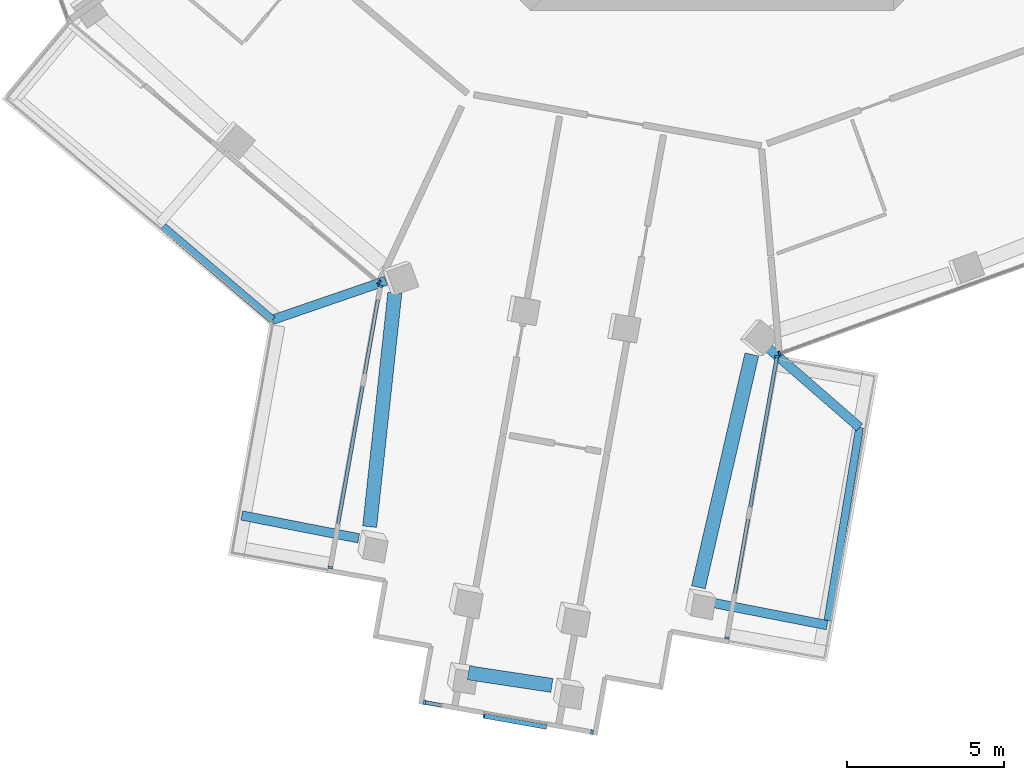
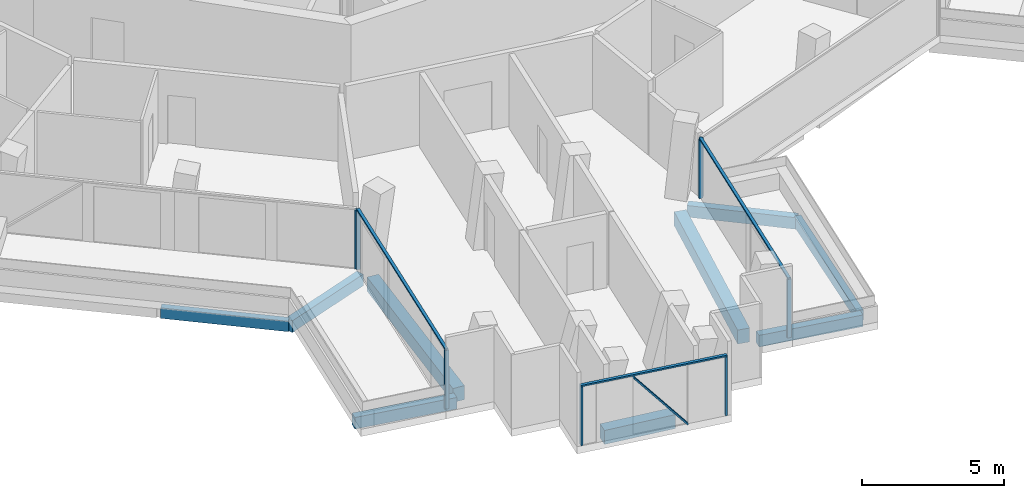
# One storey, part 2 of 22: 12 members, 9 beams, 5 elements without a shape of their own.
"""IFC4 building model written with IfcOpenShell, lengths in metres."""

from ifc_helpers import new_model, si_unit, direction, frame, origin, origin_2d, place, context, subcontext, project, spatial, rectangle, extrude, material, layer, layer_set, material_profile, profile_set, type_object, element, aggregate, save


model = new_model("IFC4")

# Units and contexts
model_context = context("Model", 3, precision=1e-05, world=origin(), true_north=direction((0.0, 1.0)))
body_context = subcontext(model_context, "Body", "Model", "MODEL_VIEW")
ifc_project = project(units=[si_unit("LENGTHUNIT", "METRE"), si_unit("AREAUNIT", "SQUARE_METRE"), si_unit("VOLUMEUNIT", "CUBIC_METRE"), si_unit("PLANEANGLEUNIT", "RADIAN"), si_unit("MASSUNIT", "GRAM", prefix="KILO")], contexts=[model_context])

# Site, building, storey
site_placement = place(None, origin())
site = spatial("IfcSite", under=ifc_project, at=site_placement, CompositionType="ELEMENT")
building_placement = place(site_placement, origin())
building = spatial("IfcBuilding", under=site, at=building_placement, Name="Verdalira Terraces Hotel", CompositionType="ELEMENT")
storey_placement = place(building_placement, frame((0.0, 0.0, 237.5)))
storey = spatial("IfcBuildingStorey", under=building, at=storey_placement, Name="L58", CompositionType="ELEMENT", Elevation=237.5)

# Beams
ifc_material_1 = material(Name="Concrete C40", Category="concrete")
ifc_material_profile_1 = material_profile(ifc_material_1, rectangle(XDim=0.300049, YDim=0.5, at=origin_2d()), Name="RC 300X500")
ifc_profile_set_1 = profile_set([ifc_material_profile_1], Name="Concrete C40")
beam_type_1 = type_object("IfcBeamType", Name="Balcony cantilever beam RC 300X500 C40", PredefinedType="BEAM", material=ifc_profile_set_1)
beam_1_placement = place(storey_placement, frame((-11.268311, -30.837402, -0.560059), z_axis=(-0.981485883, 0.191534489, 0.0), x_axis=(-0.191534489, -0.981485883, 0.0)))
element("IfcBeam", 1, at=beam_1_placement, inside=storey, type_object=beam_type_1, Name="Balcony cantilever beam R13-1", PredefinedType="BEAM", context=body_context, shape_type="SweptSolid", body=[
    extrude(rectangle(XDim=0.300049, YDim=0.5, at=origin_2d()), origin(), (0.0, 0.0, 1.0), 3.803467),
])
beam_2_placement = place(storey_placement, frame((-10.405518, -22.625, -0.560059), z_axis=(-0.945741844, -0.324919012, 0.0), x_axis=(0.324919012, -0.945741844, 0.0)))
element("IfcBeam", 2, at=beam_2_placement, inside=storey, type_object=beam_type_1, Name="Balcony cantilever beam R13-4", PredefinedType="BEAM", context=body_context, shape_type="SweptSolid", body=[
    extrude(rectangle(XDim=0.300049, YDim=0.5, at=origin_2d()), origin(), (0.0, 0.0, 1.0), 3.820068),
])
beam_3_placement = place(storey_placement, frame((-0.131592, -32.865234, -0.560059), z_axis=(0.981490015, -0.191513318, 0.0), x_axis=(0.191513318, 0.981490015, 0.0)))
element("IfcBeam", 3, at=beam_3_placement, inside=storey, type_object=beam_type_1, Name="Balcony cantilever beam R24-1", PredefinedType="BEAM", context=body_context, shape_type="SweptSolid", body=[
    extrude(rectangle(XDim=0.300049, YDim=0.5, at=origin_2d()), origin(), (0.0, 0.0, 1.0), 3.87793),
])
beam_4_placement = place(storey_placement, frame((1.730225, -24.706055, -0.560059), z_axis=(0.754216858, -0.656625412, 0.0), x_axis=(0.656625412, 0.754216858, 0.0)))
element("IfcBeam", 4, at=beam_4_placement, inside=storey, type_object=beam_type_1, Name="Balcony cantilever beam R24-2", PredefinedType="BEAM", context=body_context, shape_type="SweptSolid", body=[
    extrude(rectangle(XDim=0.300049, YDim=0.5, at=origin_2d()), origin(), (0.0, 0.0, 1.0), 3.950195),
])
ifc_material_2 = material(Name="Concrete C40", Category="concrete")
ifc_material_profile_2 = material_profile(ifc_material_2, rectangle(XDim=0.25, YDim=0.449951, at=origin_2d()), Name="RC 250X450")
ifc_profile_set_2 = profile_set([ifc_material_profile_2], Name="Concrete C40")
beam_type_2 = type_object("IfcBeamType", Name="Balcony edge beam RC 250X450 C40", PredefinedType="BEAM", material=ifc_profile_set_2)
beam_5_placement = place(storey_placement, frame((-17.509277, -20.892578, -0.534912), z_axis=(0.761259777, -0.64844703, 0.0), x_axis=(0.64844703, 0.761259777, 0.0)))
element("IfcBeam", 5, at=beam_5_placement, inside=storey, type_object=beam_type_2, Name="Balcony edge beam R13-2", PredefinedType="BEAM", context=body_context, shape_type="SweptSolid", body=[
    extrude(rectangle(XDim=0.25, YDim=0.449951, at=origin_2d()), origin(), (0.0, 0.0, 1.0), 4.585693),
])
beam_6_placement = place(storey_placement, frame((3.698975, -33.459717, -0.534912), z_axis=(0.161880547, 0.986810361, 0.0), x_axis=(-0.986810361, 0.161880547, 0.0)))
element("IfcBeam", 6, at=beam_6_placement, inside=storey, type_object=beam_type_2, Name="Balcony edge beam R24-1", PredefinedType="BEAM", context=body_context, shape_type="SweptSolid", body=[
    extrude(rectangle(XDim=0.25, YDim=0.449951, at=origin_2d()), origin(), (0.0, 0.0, 1.0), 6.242188),
])

# Curtain wall, member
ifc_material_3 = material(Name="Clear glass", Category="glass")
ifc_layer_1 = layer(ifc_material_3, 0.14990234375)
ifc_layer_set_1 = layer_set([ifc_layer_1], Name="CW1 curtain wall")
curtain_wall_type_1 = type_object("IfcCurtainWallType", Name="CW1 curtain wall", PredefinedType="NOTDEFINED", material=ifc_layer_set_1)
curtain_wall_1_placement = place(storey_placement, origin())
curtain_wall_1 = element("IfcCurtainWall", 7, at=curtain_wall_1_placement, inside=storey, type_object=curtain_wall_type_1, Name="CW1 curtain wall L58 edge 13", PredefinedType="NOTDEFINED")
ifc_material_4 = material(Name="Terracotta frame", Category="masonry")
ifc_material_profile_3 = material_profile(ifc_material_4, rectangle(XDim=0.060059, YDim=0.149902, at=origin_2d()), Name="MU 60x150")
ifc_profile_set_3 = profile_set([ifc_material_profile_3], Name="Terracotta frame")
member_type_1 = type_object("IfcMemberType", Name="CW1 mullion 60x150", PredefinedType="MULLION", material=ifc_profile_set_3)
member_1_placement = place(storey_placement, frame((-10.620117, -22.669434, 0.0), z_axis=(0.0, 0.0, 1.0), x_axis=(0.765146196, -0.643856583, 0.0)))
member_1 = element("IfcMember", 8, at=member_1_placement, type_object=member_type_1, Name="CW1 mullion", PredefinedType="MULLION", context=body_context, shape_type="SweptSolid", body=[
    extrude(rectangle(XDim=0.060059, YDim=0.149902, at=origin_2d()), origin(), (0.0, 0.0, 1.0), 2.524902),
])
aggregate(curtain_wall_1, [member_1])

curtain_wall_2_placement = place(storey_placement, origin())
curtain_wall_2 = element("IfcCurtainWall", 9, at=curtain_wall_2_placement, inside=storey, type_object=curtain_wall_type_1, Name="CW1 curtain wall L58 edge 25", PredefinedType="NOTDEFINED")
member_2_placement = place(storey_placement, frame((2.156494, -24.940918, 0.0), z_axis=(0.0, 0.0, 1.0), x_axis=(0.940169255, 0.340707752, 0.0)))
member_2 = element("IfcMember", 10, at=member_2_placement, type_object=member_type_1, Name="CW1 mullion", PredefinedType="MULLION", context=body_context, shape_type="SweptSolid", body=[
    extrude(rectangle(XDim=0.060059, YDim=0.149902, at=origin_2d()), origin(), (0.0, 0.0, 1.0), 2.524902),
])
aggregate(curtain_wall_2, [member_2])

# Curtain wall, members
ifc_material_5 = material(Name="Clear glass", Category="glass")
ifc_layer_2 = layer(ifc_material_5, 0.14990234375)
ifc_layer_set_2 = layer_set([ifc_layer_2], Name="CW2 curtain wall")
curtain_wall_type_2 = type_object("IfcCurtainWallType", Name="CW2 curtain wall", PredefinedType="NOTDEFINED", material=ifc_layer_set_2)
curtain_wall_3_placement = place(storey_placement, origin())
curtain_wall_3 = element("IfcCurtainWall", 11, at=curtain_wall_3_placement, inside=storey, type_object=curtain_wall_type_2, Name="CW2 curtain wall L58 edge 14", PredefinedType="NOTDEFINED")
ifc_material_6 = material(Name="Terracotta frame", Category="masonry")
ifc_material_profile_4 = material_profile(ifc_material_6, rectangle(XDim=0.070068, YDim=0.149902, at=origin_2d()), Name="MU 70x150")
ifc_profile_set_4 = profile_set([ifc_material_profile_4], Name="Terracotta frame")
member_type_2 = type_object("IfcMemberType", Name="CW2 mullion 70x150", PredefinedType="MULLION", material=ifc_profile_set_4)
member_3_placement = place(storey_placement, frame((-10.577637, -22.793945, 0.0), z_axis=(0.0, 0.0, 1.0), x_axis=(-0.175023059, -0.984564335, 0.0)))
member_3 = element("IfcMember", 12, at=member_3_placement, type_object=member_type_2, Name="CW2 mullion", PredefinedType="MULLION", context=body_context, shape_type="SweptSolid", body=[
    extrude(rectangle(XDim=0.070068, YDim=0.149902, at=origin_2d()), origin(), (0.0, 0.0, 1.0), 2.524902),
])
member_4_placement = place(storey_placement, frame((-12.17334, -31.769287, 0.0), z_axis=(0.0, 0.0, 1.0), x_axis=(-0.175023059, -0.984564335, 0.0)))
member_4 = element("IfcMember", 13, at=member_4_placement, type_object=member_type_2, Name="CW2 mullion", PredefinedType="MULLION", context=body_context, shape_type="SweptSolid", body=[
    extrude(rectangle(XDim=0.070068, YDim=0.149902, at=origin_2d()), origin(), (0.0, 0.0, 1.0), 2.524902),
])

curtain_wall_4_placement = place(storey_placement, origin())
curtain_wall_4 = element("IfcCurtainWall", 14, at=curtain_wall_4_placement, inside=storey, type_object=curtain_wall_type_2, Name="CW2 curtain wall L58 edge 24", PredefinedType="NOTDEFINED")
member_5_placement = place(storey_placement, frame((0.478271, -34.018311, 0.0), z_axis=(0.0, 0.0, 1.0), x_axis=(0.175023059, 0.984564335, 0.0)))
member_5 = element("IfcMember", 15, at=member_5_placement, type_object=member_type_2, Name="CW2 mullion", PredefinedType="MULLION", context=body_context, shape_type="SweptSolid", body=[
    extrude(rectangle(XDim=0.070068, YDim=0.149902, at=origin_2d()), origin(), (0.0, 0.0, 1.0), 2.524902),
])
member_6_placement = place(storey_placement, frame((2.073975, -25.042969, 0.0), z_axis=(0.0, 0.0, 1.0), x_axis=(0.175023059, 0.984564335, 0.0)))
member_6 = element("IfcMember", 16, at=member_6_placement, type_object=member_type_2, Name="CW2 mullion", PredefinedType="MULLION", context=body_context, shape_type="SweptSolid", body=[
    extrude(rectangle(XDim=0.070068, YDim=0.149902, at=origin_2d()), origin(), (0.0, 0.0, 1.0), 2.524902),
])

# Member
ifc_material_7 = material(Name="Terracotta frame", Category="masonry")
ifc_material_profile_5 = material_profile(ifc_material_7, rectangle(XDim=0.11499, YDim=0.064941, at=origin_2d()), Name="TR 65x115")
ifc_profile_set_5 = profile_set([ifc_material_profile_5], Name="Terracotta frame")
member_type_3 = type_object("IfcMemberType", Name="CW2 transom 65x115", PredefinedType="USERDEFINED", material=ifc_profile_set_5)
member_7_placement = place(storey_placement, frame((-10.571533, -22.759277, 2.557617), z_axis=(-0.1750299, -0.984563118, 0.0), x_axis=(0.984563118, -0.1750299, 0.0)))
member_7 = element("IfcMember", 17, at=member_7_placement, type_object=member_type_3, Name="CW2 transom", ObjectType="TRANSOM", PredefinedType="USERDEFINED", context=body_context, shape_type="SweptSolid", body=[
    extrude(rectangle(XDim=0.11499, YDim=0.064941, at=origin_2d()), origin(), (0.0, 0.0, 1.0), 9.186523),
])

aggregate(curtain_wall_3, [member_3, member_4, member_7])

member_8_placement = place(storey_placement, frame((0.472168, -34.052979, 2.557617), z_axis=(0.1750299, 0.984563118, 0.0), x_axis=(-0.984563118, 0.1750299, 0.0)))
member_8 = element("IfcMember", 18, at=member_8_placement, type_object=member_type_3, Name="CW2 transom", ObjectType="TRANSOM", PredefinedType="USERDEFINED", context=body_context, shape_type="SweptSolid", body=[
    extrude(rectangle(XDim=0.11499, YDim=0.064941, at=origin_2d()), origin(), (0.0, 0.0, 1.0), 9.186523),
])

aggregate(curtain_wall_4, [member_5, member_6, member_8])

# Curtain wall, members
ifc_material_8 = material(Name="Clear glass", Category="glass")
ifc_layer_3 = layer(ifc_material_8, 0.14990234375)
ifc_layer_set_3 = layer_set([ifc_layer_3], Name="CW3 curtain wall")
curtain_wall_type_3 = type_object("IfcCurtainWallType", Name="CW3 curtain wall", PredefinedType="NOTDEFINED", material=ifc_layer_set_3)
curtain_wall_5_placement = place(storey_placement, origin())
curtain_wall_5 = element("IfcCurtainWall", 19, at=curtain_wall_5_placement, inside=storey, type_object=curtain_wall_type_3, Name="CW3 curtain wall L58 edge 19", PredefinedType="NOTDEFINED")
ifc_material_9 = material(Name="Terracotta frame", Category="masonry")
ifc_material_profile_6 = material_profile(ifc_material_9, rectangle(XDim=0.080078, YDim=0.149902, at=origin_2d()), Name="MU 80x150")
ifc_profile_set_6 = profile_set([ifc_material_profile_6], Name="Terracotta frame")
member_type_4 = type_object("IfcMemberType", Name="CW3 mullion 80x150", PredefinedType="MULLION", material=ifc_profile_set_6)
member_9_placement = place(storey_placement, frame((-9.165039, -36.072266, 0.0), z_axis=(0.0, 0.0, 1.0), x_axis=(0.984564335, -0.175023059, 0.0)))
member_9 = element("IfcMember", 20, at=member_9_placement, type_object=member_type_4, Name="CW3 mullion", PredefinedType="MULLION", context=body_context, shape_type="SweptSolid", body=[
    extrude(rectangle(XDim=0.080078, YDim=0.149902, at=origin_2d()), origin(), (0.0, 0.0, 1.0), 2.524902),
])
member_10_placement = place(storey_placement, frame((-3.828613, -37.020996, 0.0), z_axis=(0.0, 0.0, 1.0), x_axis=(0.984564335, -0.175023059, 0.0)))
member_10 = element("IfcMember", 21, at=member_10_placement, type_object=member_type_4, Name="CW3 mullion", PredefinedType="MULLION", context=body_context, shape_type="SweptSolid", body=[
    extrude(rectangle(XDim=0.080078, YDim=0.149902, at=origin_2d()), origin(), (0.0, 0.0, 1.0), 2.524902),
])
ifc_material_10 = material(Name="Terracotta frame", Category="masonry")
ifc_material_profile_7 = material_profile(ifc_material_10, rectangle(XDim=0.120117, YDim=0.064941, at=origin_2d()), Name="TR 65x120")
ifc_profile_set_7 = profile_set([ifc_material_profile_7], Name="Terracotta frame")
member_type_5 = type_object("IfcMemberType", Name="CW3 transom 65x120", PredefinedType="USERDEFINED", material=ifc_profile_set_7)
member_11_placement = place(storey_placement, frame((-9.204346, -36.06543, 2.557617), z_axis=(0.984571006, -0.174985523, 0.0), x_axis=(0.174985523, 0.984571006, 0.0)))
member_11 = element("IfcMember", 22, at=member_11_placement, type_object=member_type_5, Name="CW3 transom", ObjectType="TRANSOM", PredefinedType="USERDEFINED", context=body_context, shape_type="SweptSolid", body=[
    extrude(rectangle(XDim=0.120117, YDim=0.064941, at=origin_2d()), origin(), (0.0, 0.0, 1.0), 5.5),
])
ifc_material_11 = material(Name="Terracotta frame", Category="masonry")
ifc_material_profile_8 = material_profile(ifc_material_11, rectangle(XDim=0.149902, YDim=0.060059, at=origin_2d()), Name="GB 60x150")
ifc_profile_set_8 = profile_set([ifc_material_profile_8], Name="Terracotta frame")
member_type_6 = type_object("IfcMemberType", Name="Diagonal glazing bar 60x150", PredefinedType="USERDEFINED", material=ifc_profile_set_8)
member_12_placement = place(storey_placement, frame((-7.277588, -36.502197, 2.494873), z_axis=(0.622592945, -0.110722408, -0.774673204), x_axis=(0.175093453, 0.984551818, 0.0)))
member_12 = element("IfcMember", 23, at=member_12_placement, type_object=member_type_6, Name="Diagonal glazing bar", ObjectType="GLAZING BAR", PredefinedType="USERDEFINED", context=body_context, shape_type="SweptSolid", body=[
    extrude(rectangle(XDim=0.149902, YDim=0.060059, at=origin_2d()), origin(), (0.0, 0.0, 1.0), 3.181885),
])
aggregate(curtain_wall_5, [member_9, member_10, member_11, member_12])

# Beams
ifc_material_12 = material(Name="Concrete C40", Category="concrete")
ifc_material_profile_9 = material_profile(ifc_material_12, rectangle(XDim=0.449951, YDim=0.600098, at=origin_2d()), Name="RC 450X600")
ifc_profile_set_9 = profile_set([ifc_material_profile_9], Name="Concrete C40")
beam_type_3 = type_object("IfcBeamType", Name="Spandrel beam RC 450X600 C40", PredefinedType="SPANDREL", material=ifc_profile_set_9)
beam_7_placement = place(storey_placement, frame((-10.116455, -23.009277, -0.610107), z_axis=(-0.107112303, -0.994246928, 0.0), x_axis=(0.994246928, -0.107112303, 0.0)))
element("IfcBeam", 24, at=beam_7_placement, inside=storey, type_object=beam_type_3, Name="Spandrel beam B08", PredefinedType="SPANDREL", context=body_context, shape_type="SweptSolid", body=[
    extrude(rectangle(XDim=0.449951, YDim=0.600098, at=origin_2d()), origin(), (0.0, 0.0, 1.0), 7.501221),
])
beam_8_placement = place(storey_placement, frame((-7.767334, -35.129395, -0.610107), z_axis=(0.988820292, -0.149112141, 0.0), x_axis=(0.149112141, 0.988820292, 0.0)))
element("IfcBeam", 25, at=beam_8_placement, inside=storey, type_object=beam_type_3, Name="Spandrel beam B09", PredefinedType="SPANDREL", context=body_context, shape_type="SweptSolid", body=[
    extrude(rectangle(XDim=0.449951, YDim=0.600098, at=origin_2d()), origin(), (0.0, 0.0, 1.0), 2.69165),
])
beam_9_placement = place(storey_placement, frame((-0.432861, -32.400391, -0.610107), z_axis=(0.223743299, 0.974648109, 0.0), x_axis=(-0.974648109, 0.223743299, 0.0)))
element("IfcBeam", 26, at=beam_9_placement, inside=storey, type_object=beam_type_3, Name="Spandrel beam B10", PredefinedType="SPANDREL", context=body_context, shape_type="SweptSolid", body=[
    extrude(rectangle(XDim=0.449951, YDim=0.600098, at=origin_2d()), origin(), (0.0, 0.0, 1.0), 7.620605),
])

save(model, "model.ifc")
